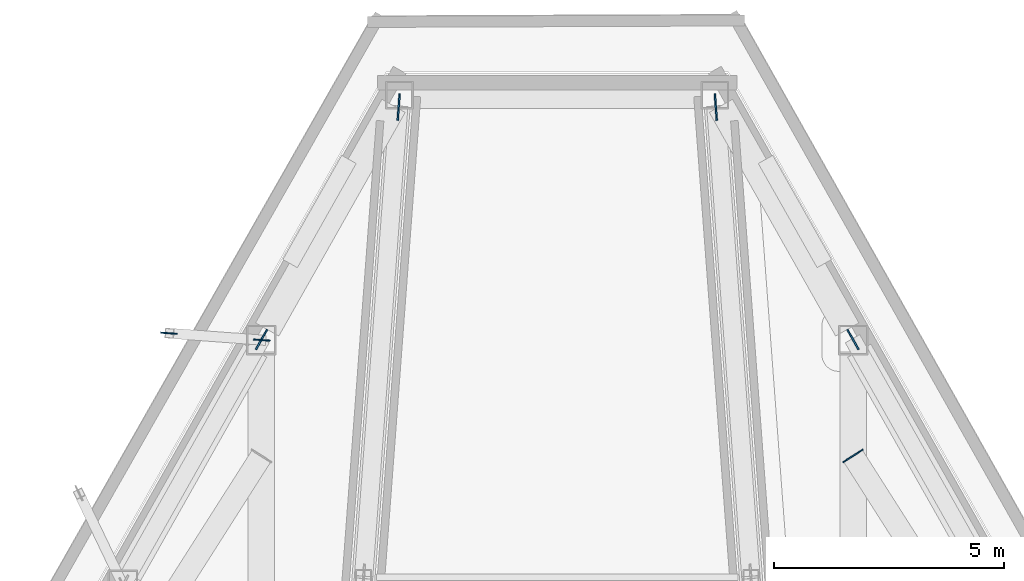
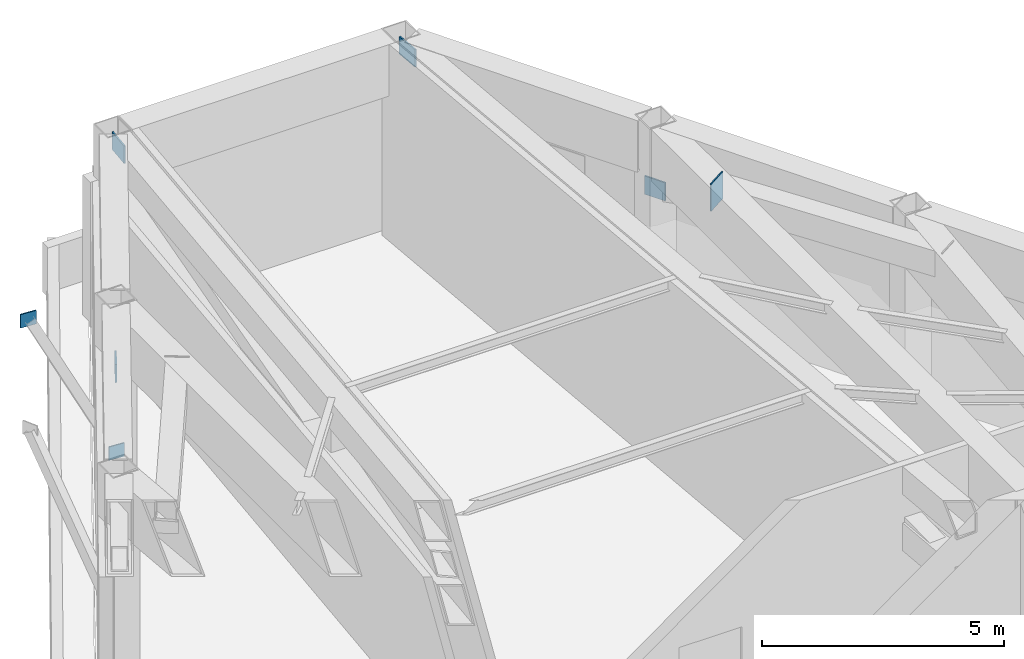
# One storey, part 8 of 13: 7 plates.
"""IFC4 building model written with IfcOpenShell, lengths in metres."""

from ifc_helpers import new_model, si_unit, direction, frame, origin, origin_2d, place, context, subcontext, project, spatial, rectangle, extrude, material, layer, layer_set, type_object, element, save


model = new_model("IFC4")

# Units and contexts
model_context = context("Model", 3, precision=1e-05, world=origin(), true_north=direction((0.0, 1.0)))
body_context = subcontext(model_context, "Body", "Model", "MODEL_VIEW")
ifc_project = project(units=[si_unit("LENGTHUNIT", "METRE"), si_unit("AREAUNIT", "SQUARE_METRE"), si_unit("VOLUMEUNIT", "CUBIC_METRE"), si_unit("PLANEANGLEUNIT", "RADIAN"), si_unit("MASSUNIT", "GRAM", prefix="KILO")], contexts=[model_context])

# Site, building, storey
site_placement = place(None, origin())
site = spatial("IfcSite", under=ifc_project, at=site_placement, CompositionType="ELEMENT")
building_placement = place(site_placement, origin())
building = spatial("IfcBuilding", under=site, at=building_placement, Name="Kavelnor Concourse Tower", CompositionType="ELEMENT")
storey_placement = place(building_placement, frame((0.0, 0.0, 234.300048828125)))
storey = spatial("IfcBuildingStorey", under=building, at=storey_placement, Name="L59", CompositionType="ELEMENT", Elevation=234.300048828125)

# Plates
ifc_material = material(Name="Steel Grade 350", Category="steel")
ifc_layer_1 = layer(ifc_material, 0.028076171875, Name="Steel Grade 350")
ifc_layer_set_1 = layer_set([ifc_layer_1], Name="Steel Grade 350")
plate_type_1 = type_object("IfcPlateType", Name="PL-GUSSET-FOLD", PredefinedType="USERDEFINED", material=ifc_layer_set_1)
for number, where, z_axis, x_axis, name in (
    (1, (31.576171875, 38.3203125, 0.8798828125), (0.0, 0.0, 1.0), (-0.997301679558, 0.073412260224, 0.0), "L59 Balcony Strut Gusset GP4 1-A End Gusset A"),
    (2, (29.556884765625, 38.468994140625, 4.8349609375), (0.0, 0.0, 1.0), (-0.997301679558, 0.073412260224, 0.0), "L59 Balcony Strut Gusset GP4 1-A End Gusset B"),
):
    element("IfcPlate", number, at=place(storey_placement, frame(where, z_axis=z_axis, x_axis=x_axis)), inside=storey, type_object=plate_type_1, Name=name, ObjectType="GUSSET_PLATE", PredefinedType="USERDEFINED", context=body_context, shape_type="SweptSolid", body=[
        extrude(rectangle(XDim=0.360107421875, YDim=0.028076171875, at=origin_2d()), origin(), (0.0, 0.0, 1.0), 0.340087890625),
    ])
ifc_layer_2 = layer(ifc_material, 0.035888671875, Name="Steel Grade 350")
ifc_layer_set_2 = layer_set([ifc_layer_2], Name="Steel Grade 350")
plate_type_2 = type_object("IfcPlateType", Name="PL-GUSSET-OUTRIG", PredefinedType="USERDEFINED", material=ifc_layer_set_2)
for number, where, z_axis, x_axis, name in (
    (3, (34.55224609375, 43.3837890625, 4.3798828125), (0.0, 0.0, 1.0), (0.074456591657, 0.997224255601, 0.0), "L59 Outrigger Truss Node Gusset Plate GP2 F0A-B1"),
    (4, (41.44775390625, 43.3837890625, 4.3798828125), (0.0, 0.0, 1.0), (-0.074456591657, 0.997224255601, 0.0), "L59 Outrigger Truss Node Gusset Plate GP2 F2B-B1"),
):
    element("IfcPlate", number, at=place(storey_placement, frame(where, z_axis=z_axis, x_axis=x_axis)), inside=storey, type_object=plate_type_2, Name=name, ObjectType="GUSSET_PLATE", PredefinedType="USERDEFINED", context=body_context, shape_type="SweptSolid", body=[
        extrude(rectangle(XDim=0.580078125, YDim=0.035888671875, at=origin_2d()), origin(), (0.0, 0.0, 1.0), 0.43994140625),
    ])
for number, where, z_axis, x_axis, name in (
    (5, (31.570068359375, 38.33154296875, 2.949951171875), (0.0, 0.0, 1.0), (-0.491967775447, -0.870613408995, 0.0), "L59 Belt Truss Diagonal F0-B1 End Gusset A"),
    (6, (44.429931640625, 38.33154296875, 2.949951171875), (0.0, 0.0, 1.0), (0.491967775447, -0.870613408995, 0.0), "L59 Belt Truss Diagonal F2-B4 End Gusset A"),
):
    element("IfcPlate", number, at=place(storey_placement, frame(where, z_axis=z_axis, x_axis=x_axis)), inside=storey, type_object=plate_type_2, Name=name, ObjectType="GUSSET_PLATE", PredefinedType="USERDEFINED", context=body_context, shape_type="SweptSolid", body=[
        extrude(rectangle(XDim=0.5, YDim=0.035888671875, at=origin_2d()), origin(), (0.0, 0.0, 1.0), 0.4599609375),
    ])
ifc_layer_3 = layer(ifc_material, 0.02490234375, Name="Steel Grade 350")
ifc_layer_set_3 = layer_set([ifc_layer_3], Name="Steel Grade 350")
plate_type_3 = type_object("IfcPlateType", Name="PL-SPLICE-FLANGE", PredefinedType="SHEET", material=ifc_layer_set_3)
plate_placement = place(storey_placement, frame((44.429931640625, 35.80224609375, 4.2900390625), z_axis=(0.0, 0.0, 1.0), x_axis=(-0.843485209439, -0.537152400588, 0.0)))
element("IfcPlate", 7, at=plate_placement, inside=storey, type_object=plate_type_3, Name="L59 Belt Truss Chord End Cap F2-B4-B", PredefinedType="SHEET", context=body_context, shape_type="SweptSolid", body=[
    extrude(rectangle(XDim=0.52001953125, YDim=0.028076171875, at=origin_2d()), origin(), (0.0, 0.0, 1.0), 0.68994140625),
])

save(model, "model.ifc")
